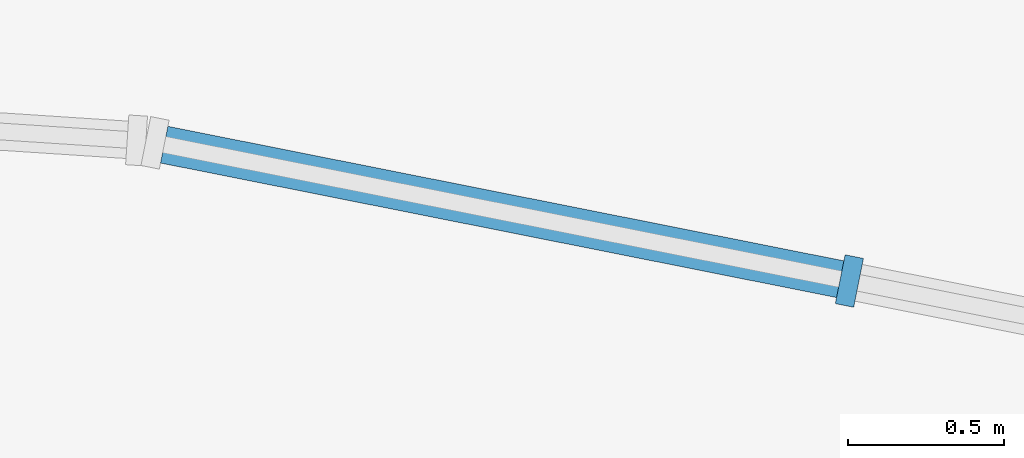
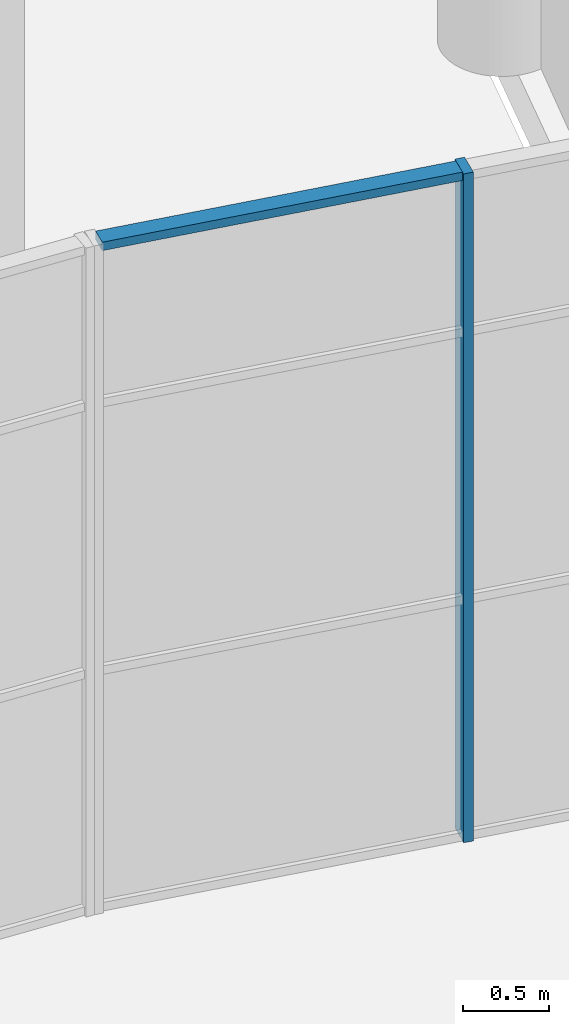
# One storey, part 40 of 99: 2 members, 1 element without a shape of its own.
"""IFC4 building model written with IfcOpenShell, lengths in metres."""

from ifc_helpers import new_model, si_unit, direction, frame, origin, origin_2d, place, context, subcontext, project, spatial, rectangle, extrude, material, material_profile, profile_set, type_object, element, aggregate, save


model = new_model("IFC4")

# Units and contexts
model_context = context("Model", 3, precision=1e-05, world=origin(), true_north=direction((0.0, 1.0)))
body_context = subcontext(model_context, "Body", "Model", "MODEL_VIEW")
ifc_project = project(units=[si_unit("LENGTHUNIT", "METRE"), si_unit("AREAUNIT", "SQUARE_METRE"), si_unit("VOLUMEUNIT", "CUBIC_METRE"), si_unit("PLANEANGLEUNIT", "RADIAN"), si_unit("MASSUNIT", "GRAM", prefix="KILO")], contexts=[model_context])

# Site, building, storey
site_placement = place(None, origin())
site = spatial("IfcSite", under=ifc_project, at=site_placement, CompositionType="ELEMENT")
building_placement = place(site_placement, origin())
building = spatial("IfcBuilding", under=site, at=building_placement, Name="Saryqyr Civic Hall", CompositionType="ELEMENT")
storey_placement = place(building_placement, origin())
storey = spatial("IfcBuildingStorey", under=building, at=storey_placement, Name="L00", CompositionType="ELEMENT", Elevation=0.0)

# Curtain wall, members
ifc_material_1 = material(Name="Anodised aluminium and triple low-E glass", Category="aluminium")
curtain_wall_type = type_object("IfcCurtainWallType", Name="ENV-CW-STD-67", PredefinedType="NOTDEFINED", material=ifc_material_1)
curtain_wall_placement = place(storey_placement, origin())
curtain_wall = element("IfcCurtainWall", 1, at=curtain_wall_placement, inside=storey, type_object=curtain_wall_type, Name="Curtain wall V2-PERIM-CW-L00-10", PredefinedType="NOTDEFINED")
ifc_material_2 = material(Name="Anodised aluminium", Category="aluminium")
ifc_material_profile_1 = material_profile(ifc_material_2, rectangle(XDim=0.06005859375, YDim=0.159912109375, at=origin_2d()), Name="ALU MULLION 60x160")
ifc_profile_set_1 = profile_set([ifc_material_profile_1], Name="Anodised aluminium")
member_type_1 = type_object("IfcMemberType", Name="ENV-CW-MUL-180", PredefinedType="MULLION", material=ifc_profile_set_1)
member_1_placement = place(storey_placement, frame((63.8564453125, 118.46923828125, 0.0), z_axis=(0.0, 0.0, 1.0), x_axis=(0.980784679507, -0.195093342902, 0.0)))
member_1 = element("IfcMember", 2, at=member_1_placement, type_object=member_type_1, Name="CW-67 mullion 2", PredefinedType="MULLION", context=body_context, shape_type="SweptSolid", body=[
    extrude(rectangle(XDim=0.06005859375, YDim=0.159912109375, at=origin_2d()), origin(), (0.0, 0.0, 1.0), 4.75),
])
ifc_material_profile_2 = material_profile(ifc_material_2, rectangle(XDim=0.1201171875, YDim=0.06005859375, at=origin_2d()), Name="ALU TRANSOM 120x60")
ifc_profile_set_2 = profile_set([ifc_material_profile_2], Name="Anodised aluminium")
member_type_2 = type_object("IfcMemberType", Name="ENV-CW-TRN-150", PredefinedType="USERDEFINED", material=ifc_profile_set_2)
member_2_placement = place(storey_placement, frame((61.656005859375, 118.906982421875, 4.719970703125), z_axis=(0.980779555737, -0.195119099651, 0.0), x_axis=(0.195119099651, 0.980779555737, 0.0)))
member_2 = element("IfcMember", 3, at=member_2_placement, type_object=member_type_2, Name="CW-67 transom 1.4", ObjectType="TRANSOM", PredefinedType="USERDEFINED", context=body_context, shape_type="SweptSolid", body=[
    extrude(rectangle(XDim=0.1201171875, YDim=0.06005859375, at=origin_2d()), origin(), (0.0, 0.0, 1.0), 2.21337890625),
])
aggregate(curtain_wall, [member_1, member_2])

save(model, "model.ifc")
